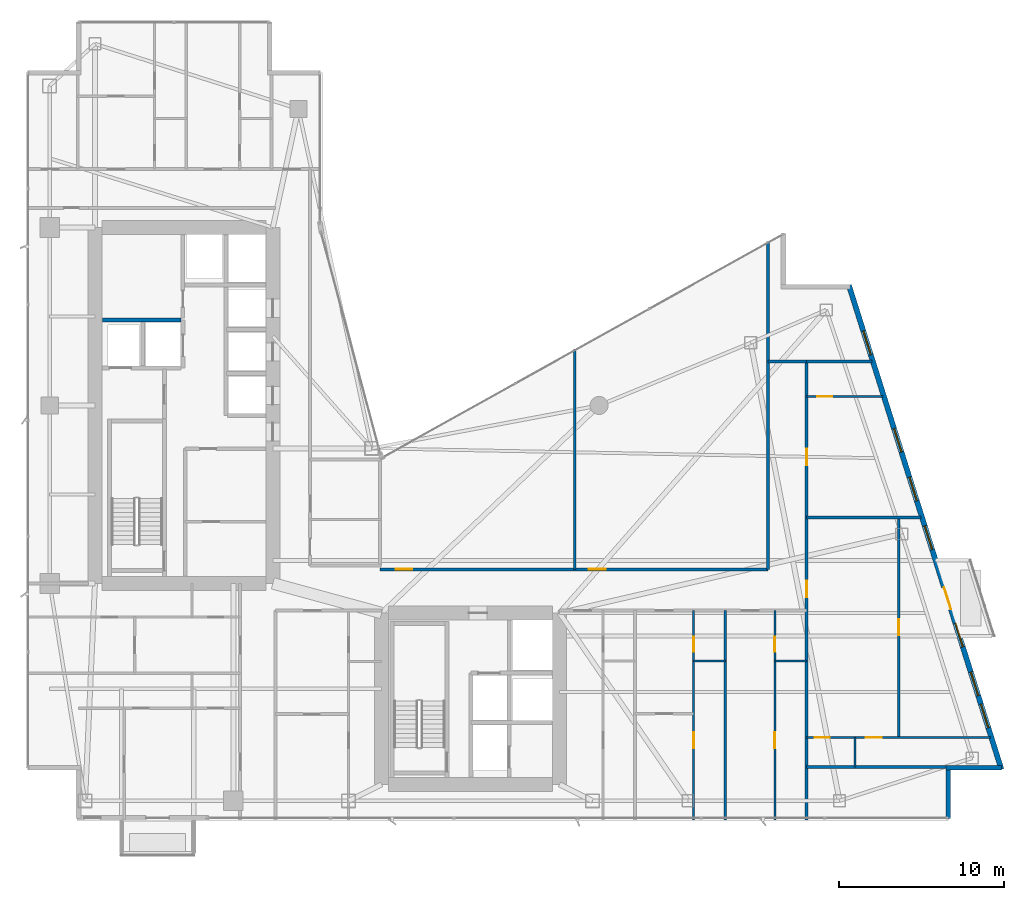
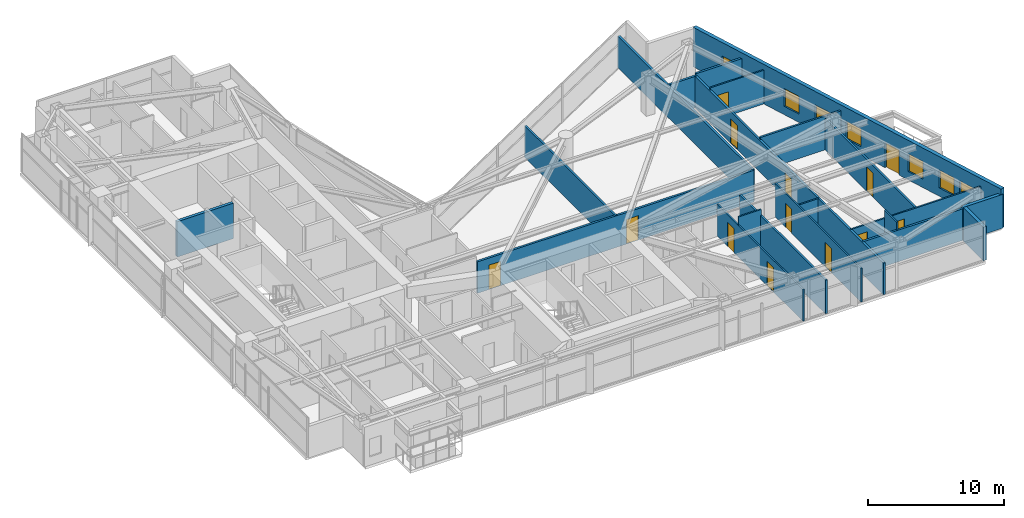
# One storey, part 24 of 29: 21 walls, 13 doors, 7 windows, 20 openings.
"""IFC4 building model written with IfcOpenShell, lengths in metres."""

from ifc_helpers import new_model, si_unit, direction, frame, frame_2d, origin, place, context, subcontext, project, spatial, rectangle, extrude, material, layer, layer_set, type_object, element, fill, save


model = new_model("IFC4")

# Units and contexts
model_context = context("Model", 3, precision=1e-05, world=origin(), true_north=direction((0.0, 1.0)))
body_context = subcontext(model_context, "Body", "Model", "MODEL_VIEW")
ifc_project = project(units=[si_unit("LENGTHUNIT", "METRE"), si_unit("AREAUNIT", "SQUARE_METRE"), si_unit("VOLUMEUNIT", "CUBIC_METRE"), si_unit("PLANEANGLEUNIT", "RADIAN"), si_unit("MASSUNIT", "GRAM", prefix="KILO")], contexts=[model_context])

# Site, building, storey
site_placement = place(None, origin())
site = spatial("IfcSite", under=ifc_project, at=site_placement, CompositionType="ELEMENT")
building_placement = place(site_placement, origin())
building = spatial("IfcBuilding", under=site, at=building_placement, Name="Calvorn Quay Hotel", CompositionType="ELEMENT")
storey_placement = place(building_placement, frame((0.0, 0.0, 105.0)))
storey = spatial("IfcBuildingStorey", under=building, at=storey_placement, Name="L25", CompositionType="ELEMENT", Elevation=105.0)

# Wall, openings, doors
ifc_material_1 = material(Name="Acoustic Fireboard Steel-Stud Partition", Category="steel")
ifc_layer_1 = layer(ifc_material_1, 0.179931640625)
ifc_layer_set_1 = layer_set([ifc_layer_1], Name="WL-CORR-FIRE-180")
wall_type_1 = type_object("IfcWallType", Name="WL-CORR-FIRE-180", PredefinedType="PARTITIONING", material=ifc_layer_set_1)
wall_1_placement = place(storey_placement, frame((21.5, 17.64990234375, 0.0), z_axis=(0.0, 0.0, 1.0), x_axis=(1.0, 0.0, 0.0)))
wall_1 = element("IfcWall", 1, at=wall_1_placement, inside=storey, type_object=wall_type_1, Name="Partition Wall L25-WL-CORR-NE-N", PredefinedType="PARTITIONING", context=body_context, shape_type="SweptSolid", body=[
    extrude(rectangle(XDim=23.550048828125, YDim=0.179931640625, at=frame_2d((11.77490234375, 0.0))), origin(), (0.0, 0.0, 1.0), 2.840087890625),
])
opening_1_placement = place(wall_1_placement, frame((0.949951171875, 0.0, 0.0)))
opening_1 = element("IfcOpeningElement", 2, at=opening_1_placement, cuts=wall_1, Name="Opening D-L25-NS1", PredefinedType="OPENING", context=body_context, shape_type="SweptSolid", body=[
    extrude(rectangle(XDim=1.02001953125, YDim=2.199951171875, at=frame_2d((0.510009765625, 1.10009765625))), frame((0.0, 0.099853515625, 0.0), z_axis=(0.0, -1.0, 0.0), x_axis=(1.0, 0.0, 0.0)), (0.0, 0.0, 1.0), 0.199951171875),
])
opening_2_placement = place(wall_1_placement, frame((12.679931640625, 0.0, 0.0)))
opening_2 = element("IfcOpeningElement", 3, at=opening_2_placement, cuts=wall_1, Name="Opening D-L25-NS2", PredefinedType="OPENING", context=body_context, shape_type="SweptSolid", body=[
    extrude(rectangle(XDim=1.02001953125, YDim=2.199951171875, at=frame_2d((0.510009765625, 1.10009765625))), frame((0.0, 0.099853515625, 0.0), z_axis=(0.0, -1.0, 0.0), x_axis=(1.0, 0.0, 0.0)), (0.0, 0.0, 1.0), 0.199951171875),
])
ifc_material_2 = material(Name="Solid-Core Walnut Veneer Hotel Fire Door")
door_type_1 = type_object("IfcDoorType", Name="DR-GUEST-ENTRY-1020", OperationType="NOTDEFINED", PredefinedType="DOOR", material=ifc_material_2)
door_1_placement = place(opening_1_placement, origin())
door_1 = element("IfcDoor", 4, at=door_1_placement, inside=storey, type_object=door_type_1, Name="Conservatory Salon Door 1 (L25)", OperationType="SINGLE_SWING_RIGHT", OverallHeight=2.199951171875, OverallWidth=1.02001953125, PredefinedType="DOOR", context=body_context, shape_type="SweptSolid", body=[
    extrude(rectangle(XDim=1.02001953125, YDim=2.199951171875, at=frame_2d((0.510009765625, 1.10009765625))), frame((0.0, 0.02490234375, 0.0), z_axis=(0.0, -1.0, 0.0), x_axis=(1.0, 0.0, 0.0)), (0.0, 0.0, 1.0), 0.050048828125),
])
fill(opening_1, door_1)
door_2_placement = place(opening_2_placement, origin())
door_2 = element("IfcDoor", 5, at=door_2_placement, inside=storey, type_object=door_type_1, Name="Conservatory Salon Door 2 (L25)", OperationType="SINGLE_SWING_LEFT", OverallHeight=2.199951171875, OverallWidth=1.02001953125, PredefinedType="DOOR", context=body_context, shape_type="SweptSolid", body=[
    extrude(rectangle(XDim=1.02001953125, YDim=2.199951171875, at=frame_2d((0.510009765625, 1.10009765625))), frame((0.0, 0.02490234375, 0.0), z_axis=(0.0, -1.0, 0.0), x_axis=(1.0, 0.0, 0.0)), (0.0, 0.0, 1.0), 0.050048828125),
])
fill(opening_2, door_2)

# Walls
wall_2_placement = place(storey_placement, frame((45.050048828125, 17.64990234375, 0.0), z_axis=(0.0, 0.0, 1.0), x_axis=(0.0, 1.0, 0.0)))
element("IfcWall", 6, at=wall_2_placement, inside=storey, type_object=wall_type_1, Name="Partition Wall L25-WL-NE-END-E", PredefinedType="PARTITIONING", context=body_context, shape_type="SweptSolid", body=[
    extrude(rectangle(XDim=19.900146484375, YDim=0.179931640625, at=frame_2d((9.9501953125, 0.0))), origin(), (0.0, 0.0, 1.0), 2.840087890625),
])
wall_3_placement = place(storey_placement, frame((47.39990234375, 5.659912109375, 0.0), z_axis=(0.0, 0.0, 1.0), x_axis=(1.0, 0.0, 0.0)))
element("IfcWall", 7, at=wall_3_placement, inside=storey, type_object=wall_type_1, Name="Partition Wall L25-WL-TIP-S", PredefinedType="PARTITIONING", context=body_context, shape_type="SweptSolid", body=[
    extrude(rectangle(XDim=8.60009765625, YDim=0.179931640625, at=frame_2d((4.300048828125, 0.0))), origin(), (0.0, 0.0, 1.0), 2.840087890625),
])
wall_4_placement = place(storey_placement, frame((47.39990234375, 30.280029296875, 0.0), z_axis=(0.0, 0.0, 1.0), x_axis=(1.0, 0.0, 0.0)))
element("IfcWall", 8, at=wall_4_placement, inside=storey, type_object=wall_type_1, Name="Partition Wall L25-WL-TIP-N", PredefinedType="PARTITIONING", context=body_context, shape_type="SweptSolid", body=[
    extrude(rectangle(XDim=3.960205078125, YDim=0.179931640625, at=frame_2d((1.97998046875, 0.0))), origin(), (0.0, 0.0, 1.0), 3.0400390625),
])

# Wall, openings, doors
wall_5_placement = place(storey_placement, frame((47.39990234375, 2.43994140625, 0.0), z_axis=(0.0, 0.0, 1.0), x_axis=(0.0, 1.0, 0.0)))
wall_5 = element("IfcWall", 9, at=wall_5_placement, inside=storey, type_object=wall_type_1, Name="Partition Wall L25-WL-CORR-TIP-E", PredefinedType="PARTITIONING", context=body_context, shape_type="SweptSolid", body=[
    extrude(rectangle(XDim=27.840087890625, YDim=0.179931640625, at=frame_2d((13.919921875, 0.0))), origin(), (0.0, 0.0, 1.0), 2.840087890625),
])
opening_3_placement = place(wall_5_placement, frame((13.510009765625, 0.0, 0.0)))
opening_3 = element("IfcOpeningElement", 10, at=opening_3_placement, cuts=wall_5, Name="Opening D-L25-U09", PredefinedType="OPENING", context=body_context, shape_type="SweptSolid", body=[
    extrude(rectangle(XDim=1.02001953125, YDim=2.199951171875, at=frame_2d((0.510009765625, 1.10009765625))), frame((0.0, 0.099853515625, 0.0), z_axis=(0.0, -1.0, 0.0), x_axis=(1.0, 0.0, 0.0)), (0.0, 0.0, 1.0), 0.199951171875),
])
opening_4_placement = place(wall_5_placement, frame((21.52001953125, 0.0, 0.0)))
opening_4 = element("IfcOpeningElement", 11, at=opening_4_placement, cuts=wall_5, Name="Opening D-L25-U10", PredefinedType="OPENING", context=body_context, shape_type="SweptSolid", body=[
    extrude(rectangle(XDim=1.02001953125, YDim=2.199951171875, at=frame_2d((0.510009765625, 1.10009765625))), frame((0.0, 0.099853515625, 0.0), z_axis=(0.0, -1.0, 0.0), x_axis=(1.0, 0.0, 0.0)), (0.0, 0.0, 1.0), 0.199951171875),
])
door_3_placement = place(opening_3_placement, origin())
door_3 = element("IfcDoor", 12, at=door_3_placement, inside=storey, type_object=door_type_1, Name="Terrace Suite Door U09 (L25)", OperationType="SINGLE_SWING_LEFT", OverallHeight=2.199951171875, OverallWidth=1.02001953125, PredefinedType="DOOR", context=body_context, shape_type="SweptSolid", body=[
    extrude(rectangle(XDim=1.02001953125, YDim=2.199951171875, at=frame_2d((0.510009765625, 1.10009765625))), frame((0.0, 0.02490234375, 0.0), z_axis=(0.0, -1.0, 0.0), x_axis=(1.0, 0.0, 0.0)), (0.0, 0.0, 1.0), 0.050048828125),
])
fill(opening_3, door_3)
door_4_placement = place(opening_4_placement, origin())
door_4 = element("IfcDoor", 13, at=door_4_placement, inside=storey, type_object=door_type_1, Name="Horizon Suite Door U10 (L25)", OperationType="SINGLE_SWING_RIGHT", OverallHeight=2.199951171875, OverallWidth=1.02001953125, PredefinedType="DOOR", context=body_context, shape_type="SweptSolid", body=[
    extrude(rectangle(XDim=1.02001953125, YDim=2.199951171875, at=frame_2d((0.510009765625, 1.10009765625))), frame((0.0, 0.02490234375, 0.0), z_axis=(0.0, -1.0, 0.0), x_axis=(1.0, 0.0, 0.0)), (0.0, 0.0, 1.0), 0.050048828125),
])
fill(opening_4, door_4)

# Walls
wall_6_placement = place(storey_placement, frame((45.050048828125, 30.280029296875, 0.0), z_axis=(0.0, 0.0, 1.0), x_axis=(1.0, 0.0, 0.0)))
element("IfcWall", 14, at=wall_6_placement, inside=storey, type_object=wall_type_1, Name="Partition Wall L25-WL-CORR-TIP-NN", PredefinedType="PARTITIONING", context=body_context, shape_type="SweptSolid", body=[
    extrude(rectangle(XDim=2.349853515625, YDim=0.179931640625, at=frame_2d((1.1748046875, 0.0))), origin(), (0.0, 0.0, 1.0), 2.840087890625),
])
ifc_material_3 = material(Name="Moisture-Resistant Tile-Backed Partition")
ifc_layer_2 = layer(ifc_material_3, 0.125)
ifc_layer_set_2 = layer_set([ifc_layer_2], Name="WL-ENSUITE-125")
wall_type_2 = type_object("IfcWallType", Name="WL-ENSUITE-125", PredefinedType="PARTITIONING", material=ifc_layer_set_2)
wall_7_placement = place(storey_placement, frame((40.5400390625, 12.10009765625, 0.0), z_axis=(0.0, 0.0, 1.0), x_axis=(1.0, 0.0, 0.0)))
element("IfcWall", 15, at=wall_7_placement, inside=storey, type_object=wall_type_2, Name="Partition Wall L25-WL-U07-BDV", PredefinedType="PARTITIONING", context=body_context, shape_type="SweptSolid", body=[
    extrude(rectangle(XDim=1.929931640625, YDim=0.125, at=frame_2d((0.96484375, 0.0))), origin(), (0.0, 0.0, 1.0), 3.56005859375),
])

# Wall, openings, doors
wall_8_placement = place(storey_placement, frame((40.5400390625, 2.43994140625, 0.0), z_axis=(0.0, 0.0, 1.0), x_axis=(0.0, 1.0, 0.0)))
wall_8 = element("IfcWall", 16, at=wall_8_placement, inside=storey, type_object=wall_type_2, Name="Partition Wall L25-WL-U07-BV", PredefinedType="PARTITIONING", context=body_context, shape_type="SweptSolid", body=[
    extrude(rectangle(XDim=12.7099609375, YDim=0.125, at=frame_2d((6.35498046875, 0.0))), origin(), (0.0, 0.0, 1.0), 2.840087890625),
])
opening_5_placement = place(wall_8_placement, frame((4.35009765625, 0.0, 0.0)))
opening_5 = element("IfcOpeningElement", 17, at=opening_5_placement, cuts=wall_8, Name="Opening D-L25-S07", PredefinedType="OPENING", context=body_context, shape_type="SweptSolid", body=[
    extrude(rectangle(XDim=0.9599609375, YDim=2.199951171875, at=frame_2d((0.47998046875, 1.10009765625))), frame((0.0, 0.072509765625, 0.0), z_axis=(0.0, -1.0, 0.0), x_axis=(1.0, 0.0, 0.0)), (0.0, 0.0, 1.0), 0.14501953125),
])
opening_6_placement = place(wall_8_placement, frame((10.2099609375, 0.0, 0.0)))
opening_6 = element("IfcOpeningElement", 18, at=opening_6_placement, cuts=wall_8, Name="Opening D-L25-E07", PredefinedType="OPENING", context=body_context, shape_type="SweptSolid", body=[
    extrude(rectangle(XDim=0.89990234375, YDim=2.14990234375, at=frame_2d((0.449951171875, 1.074951171875))), frame((0.0, 0.072509765625, 0.0), z_axis=(0.0, -1.0, 0.0), x_axis=(1.0, 0.0, 0.0)), (0.0, 0.0, 1.0), 0.14501953125),
])
ifc_material_4 = material(Name="Moisture-Sealed Timber En-Suite Door", Category="wood")
door_type_2 = type_object("IfcDoorType", Name="DR-ENSUITE-900", OperationType="NOTDEFINED", PredefinedType="DOOR", material=ifc_material_4)
door_5_placement = place(opening_6_placement, origin())
door_5 = element("IfcDoor", 19, at=door_5_placement, inside=storey, type_object=door_type_2, Name="En-Suite Door 07", OperationType="SINGLE_SWING_RIGHT", OverallHeight=2.14990234375, OverallWidth=0.89990234375, PredefinedType="DOOR", context=body_context, shape_type="SweptSolid", body=[
    extrude(rectangle(XDim=0.89990234375, YDim=2.14990234375, at=frame_2d((0.449951171875, 1.074951171875))), frame((0.0, 0.02490234375, 0.0), z_axis=(0.0, -1.0, 0.0), x_axis=(1.0, 0.0, 0.0)), (0.0, 0.0, 1.0), 0.050048828125),
])
fill(opening_6, door_5)
ifc_material_5 = material(Name="Solid Timber Internal Suite Door", Category="wood")
door_type_3 = type_object("IfcDoorType", Name="DR-SUITE-INT-960", OperationType="NOTDEFINED", PredefinedType="DOOR", material=ifc_material_5)
door_6_placement = place(opening_5_placement, origin())
door_6 = element("IfcDoor", 20, at=door_6_placement, inside=storey, type_object=door_type_3, Name="Harbour Dining Den Door 07", OperationType="SINGLE_SWING_LEFT", OverallHeight=2.199951171875, OverallWidth=0.9599609375, PredefinedType="DOOR", context=body_context, shape_type="SweptSolid", body=[
    extrude(rectangle(XDim=0.9599609375, YDim=2.199951171875, at=frame_2d((0.47998046875, 1.10009765625))), frame((0.0, 0.02490234375, 0.0), z_axis=(0.0, -1.0, 0.0), x_axis=(1.0, 0.0, 0.0)), (0.0, 0.0, 1.0), 0.050048828125),
])
fill(opening_5, door_6)

# Wall
wall_9_placement = place(storey_placement, frame((45.469970703125, 12.10009765625, 0.0), z_axis=(0.0, 0.0, 1.0), x_axis=(1.0, 0.0, 0.0)))
element("IfcWall", 21, at=wall_9_placement, inside=storey, type_object=wall_type_2, Name="Partition Wall L25-WL-U08-BDV", PredefinedType="PARTITIONING", context=body_context, shape_type="SweptSolid", body=[
    extrude(rectangle(XDim=1.929931640625, YDim=0.125, at=frame_2d((0.96484375, 0.0))), origin(), (0.0, 0.0, 1.0), 2.840087890625),
])

# Wall, openings, doors
wall_10_placement = place(storey_placement, frame((45.469970703125, 2.43994140625, 0.0), z_axis=(0.0, 0.0, 1.0), x_axis=(0.0, 1.0, 0.0)))
wall_10 = element("IfcWall", 22, at=wall_10_placement, inside=storey, type_object=wall_type_2, Name="Partition Wall L25-WL-U08-BV", PredefinedType="PARTITIONING", context=body_context, shape_type="SweptSolid", body=[
    extrude(rectangle(XDim=12.7099609375, YDim=0.125, at=frame_2d((6.35498046875, 0.0))), origin(), (0.0, 0.0, 1.0), 3.0400390625),
])
opening_7_placement = place(wall_10_placement, frame((4.35009765625, 0.0, 0.0)))
opening_7 = element("IfcOpeningElement", 23, at=opening_7_placement, cuts=wall_10, Name="Opening D-L25-S08", PredefinedType="OPENING", context=body_context, shape_type="SweptSolid", body=[
    extrude(rectangle(XDim=0.9599609375, YDim=2.199951171875, at=frame_2d((0.47998046875, 1.10009765625))), frame((0.0, 0.072509765625, 0.0), z_axis=(0.0, -1.0, 0.0), x_axis=(1.0, 0.0, 0.0)), (0.0, 0.0, 1.0), 0.14501953125),
])
opening_8_placement = place(wall_10_placement, frame((10.2099609375, 0.0, 0.0)))
opening_8 = element("IfcOpeningElement", 24, at=opening_8_placement, cuts=wall_10, Name="Opening D-L25-E08", PredefinedType="OPENING", context=body_context, shape_type="SweptSolid", body=[
    extrude(rectangle(XDim=0.89990234375, YDim=2.14990234375, at=frame_2d((0.449951171875, 1.074951171875))), frame((0.0, 0.072509765625, 0.0), z_axis=(0.0, -1.0, 0.0), x_axis=(1.0, 0.0, 0.0)), (0.0, 0.0, 1.0), 0.14501953125),
])
door_7_placement = place(opening_8_placement, origin())
door_7 = element("IfcDoor", 25, at=door_7_placement, inside=storey, type_object=door_type_2, Name="En-Suite Door 08", OperationType="SINGLE_SWING_RIGHT", OverallHeight=2.14990234375, OverallWidth=0.89990234375, PredefinedType="DOOR", context=body_context, shape_type="SweptSolid", body=[
    extrude(rectangle(XDim=0.89990234375, YDim=2.14990234375, at=frame_2d((0.449951171875, 1.074951171875))), frame((0.0, 0.02490234375, 0.0), z_axis=(0.0, -1.0, 0.0), x_axis=(1.0, 0.0, 0.0)), (0.0, 0.0, 1.0), 0.050048828125),
])
fill(opening_8, door_7)
door_8_placement = place(opening_7_placement, origin())
door_8 = element("IfcDoor", 26, at=door_8_placement, inside=storey, type_object=door_type_3, Name="Harbour Dining Den Door 08", OperationType="SINGLE_SWING_LEFT", OverallHeight=2.199951171875, OverallWidth=0.9599609375, PredefinedType="DOOR", context=body_context, shape_type="SweptSolid", body=[
    extrude(rectangle(XDim=0.9599609375, YDim=2.199951171875, at=frame_2d((0.47998046875, 1.10009765625))), frame((0.0, 0.02490234375, 0.0), z_axis=(0.0, -1.0, 0.0), x_axis=(1.0, 0.0, 0.0)), (0.0, 0.0, 1.0), 0.050048828125),
])
fill(opening_7, door_8)

# Wall
wall_11_placement = place(storey_placement, frame((50.35009765625, 5.659912109375, 0.0), z_axis=(0.0, 0.0, 1.0), x_axis=(0.0, 1.0, 0.0)))
element("IfcWall", 27, at=wall_11_placement, inside=storey, type_object=wall_type_2, Name="Partition Wall L25-WL-U09-BDV", PredefinedType="PARTITIONING", context=body_context, shape_type="SweptSolid", body=[
    extrude(rectangle(XDim=1.7900390625, YDim=0.125, at=frame_2d((0.89501953125, 0.0))), origin(), (0.0, 0.0, 1.0), 3.56005859375),
])

# Wall, openings, doors
wall_12_placement = place(storey_placement, frame((47.39990234375, 7.449951171875, 0.0), z_axis=(0.0, 0.0, 1.0), x_axis=(1.0, 0.0, 0.0)))
wall_12 = element("IfcWall", 28, at=wall_12_placement, inside=storey, type_object=wall_type_2, Name="Partition Wall L25-WL-U09-BH", PredefinedType="PARTITIONING", context=body_context, shape_type="SweptSolid", body=[
    extrude(rectangle(XDim=11.16015625, YDim=0.125, at=frame_2d((5.580078125, 0.0))), origin(), (0.0, 0.0, 1.0), 2.840087890625),
])
opening_9_placement = place(wall_12_placement, frame((0.5, 0.0, 0.0)))
opening_9 = element("IfcOpeningElement", 29, at=opening_9_placement, cuts=wall_12, Name="Opening D-L25-E09", PredefinedType="OPENING", context=body_context, shape_type="SweptSolid", body=[
    extrude(rectangle(XDim=0.89990234375, YDim=2.14990234375, at=frame_2d((0.449951171875, 1.074951171875))), frame((0.0, 0.072509765625, 0.0), z_axis=(0.0, -1.0, 0.0), x_axis=(1.0, 0.0, 0.0)), (0.0, 0.0, 1.0), 0.14501953125),
])
opening_10_placement = place(wall_12_placement, frame((3.60009765625, 0.0, 0.0)))
opening_10 = element("IfcOpeningElement", 30, at=opening_10_placement, cuts=wall_12, Name="Opening D-L25-S09", PredefinedType="OPENING", context=body_context, shape_type="SweptSolid", body=[
    extrude(rectangle(XDim=0.9599609375, YDim=2.199951171875, at=frame_2d((0.47998046875, 1.10009765625))), frame((0.0, 0.072509765625, 0.0), z_axis=(0.0, -1.0, 0.0), x_axis=(1.0, 0.0, 0.0)), (0.0, 0.0, 1.0), 0.14501953125),
])
door_9_placement = place(opening_9_placement, origin())
door_9 = element("IfcDoor", 31, at=door_9_placement, inside=storey, type_object=door_type_2, Name="En-Suite Door 09", OperationType="SINGLE_SWING_LEFT", OverallHeight=2.14990234375, OverallWidth=0.89990234375, PredefinedType="DOOR", context=body_context, shape_type="SweptSolid", body=[
    extrude(rectangle(XDim=0.89990234375, YDim=2.14990234375, at=frame_2d((0.449951171875, 1.074951171875))), frame((0.0, 0.02490234375, 0.0), z_axis=(0.0, -1.0, 0.0), x_axis=(1.0, 0.0, 0.0)), (0.0, 0.0, 1.0), 0.050048828125),
])
fill(opening_9, door_9)
door_10_placement = place(opening_10_placement, origin())
door_10 = element("IfcDoor", 32, at=door_10_placement, inside=storey, type_object=door_type_3, Name="Harbour Dining Den Door 09", OperationType="SINGLE_SWING_RIGHT", OverallHeight=2.199951171875, OverallWidth=0.9599609375, PredefinedType="DOOR", context=body_context, shape_type="SweptSolid", body=[
    extrude(rectangle(XDim=0.9599609375, YDim=2.199951171875, at=frame_2d((0.47998046875, 1.10009765625))), frame((0.0, 0.02490234375, 0.0), z_axis=(0.0, -1.0, 0.0), x_axis=(1.0, 0.0, 0.0)), (0.0, 0.0, 1.0), 0.050048828125),
])
fill(opening_10, door_10)

# Wall, opening, door
wall_13_placement = place(storey_placement, frame((47.39990234375, 28.14990234375, 0.0), z_axis=(0.0, 0.0, 1.0), x_axis=(1.0, 0.0, 0.0)))
wall_13 = element("IfcWall", 33, at=wall_13_placement, inside=storey, type_object=wall_type_2, Name="Partition Wall L25-WL-U10-BH", PredefinedType="PARTITIONING", context=body_context, shape_type="SweptSolid", body=[
    extrude(rectangle(XDim=4.630126953125, YDim=0.125, at=frame_2d((2.31494140625, 0.0))), origin(), (0.0, 0.0, 1.0), 3.0400390625),
])
opening_11_placement = place(wall_13_placement, frame((0.64990234375, 0.0, 0.0)))
opening_11 = element("IfcOpeningElement", 34, at=opening_11_placement, cuts=wall_13, Name="Opening D-L25-E10", PredefinedType="OPENING", context=body_context, shape_type="SweptSolid", body=[
    extrude(rectangle(XDim=0.89990234375, YDim=2.14990234375, at=frame_2d((0.449951171875, 1.074951171875))), frame((0.0, 0.072509765625, 0.0), z_axis=(0.0, -1.0, 0.0), x_axis=(1.0, 0.0, 0.0)), (0.0, 0.0, 1.0), 0.14501953125),
])
door_11_placement = place(opening_11_placement, origin())
door_11 = element("IfcDoor", 35, at=door_11_placement, inside=storey, type_object=door_type_2, Name="En-Suite Door 10", OperationType="SINGLE_SWING_LEFT", OverallHeight=2.14990234375, OverallWidth=0.89990234375, PredefinedType="DOOR", context=body_context, shape_type="SweptSolid", body=[
    extrude(rectangle(XDim=0.89990234375, YDim=2.14990234375, at=frame_2d((0.449951171875, 1.074951171875))), frame((0.0, 0.02490234375, 0.0), z_axis=(0.0, -1.0, 0.0), x_axis=(1.0, 0.0, 0.0)), (0.0, 0.0, 1.0), 0.050048828125),
])
fill(opening_11, door_11)

# Walls
ifc_material_6 = material(Name="Concrete C40", Category="concrete")
ifc_layer_3 = layer(ifc_material_6, 0.320068359375)
ifc_layer_set_3 = layer_set([ifc_layer_3], Name="WL-EXT-SPANDREL-320")
wall_type_3 = type_object("IfcWallType", Name="WL-EXT-SPANDREL-320", PredefinedType="SOLIDWALL", material=ifc_layer_set_3)
wall_14_placement = place(storey_placement, frame((56.0, 2.52001953125, 0.0), z_axis=(0.0, 0.0, 1.0), x_axis=(0.0, 1.0, 0.0)))
element("IfcWall", 36, at=wall_14_placement, inside=storey, type_object=wall_type_3, Name="Notched Corner Spandrel L25-SE1", PredefinedType="SOLIDWALL", context=body_context, shape_type="SweptSolid", body=[
    extrude(rectangle(XDim=2.93994140625, YDim=0.280029296875, at=frame_2d((1.469970703125, 0.0))), origin(), (0.0, 0.0, 1.0), 3.0400390625),
])
wall_15_placement = place(storey_placement, frame((55.860107421875, 5.60009765625, 0.0), z_axis=(0.0, 0.0, 1.0), x_axis=(1.0, 0.0, 0.0)))
element("IfcWall", 37, at=wall_15_placement, inside=storey, type_object=wall_type_3, Name="Notched Corner Spandrel L25-SE2", PredefinedType="SOLIDWALL", context=body_context, shape_type="SweptSolid", body=[
    extrude(rectangle(XDim=3.3798828125, YDim=0.280029296875, at=frame_2d((1.68994140625, 0.0))), origin(), (0.0, 0.0, 1.0), 3.0400390625),
])

# Wall, openings, door, windows
wall_16_placement = place(storey_placement, frame((59.22998046875, 5.5048828125, 0.0), z_axis=(0.0, 0.0, 1.0), x_axis=(-0.300509063924, 0.953778958931, 0.0)))
wall_16 = element("IfcWall", 38, at=wall_16_placement, inside=storey, type_object=wall_type_3, Name="East Stepped Waterfront Exterior Wall (L25)", PredefinedType="SOLIDWALL", context=body_context, shape_type="SweptSolid", body=[
    extrude(rectangle(XDim=30.814453125, YDim=0.320068359375, at=frame_2d((15.4072265625, 0.0))), origin(), (0.0, 0.0, 1.0), 3.56005859375),
])
opening_12_placement = place(wall_16_placement, frame((10.198974609375, 0.0, 0.0)))
opening_12 = element("IfcOpeningElement", 39, at=opening_12_placement, cuts=wall_16, Name="Opening DB-L25-1", PredefinedType="OPENING", context=body_context, shape_type="SweptSolid", body=[
    extrude(rectangle(XDim=1.39990234375, YDim=2.25, at=frame_2d((0.699951171875, 1.125))), frame((0.0, 0.169921875, 0.0), z_axis=(0.0, -1.0, 0.0), x_axis=(1.0, 0.0, 0.0)), (0.0, 0.0, 1.0), 0.340087890625),
])
opening_13_placement = place(wall_16_placement, frame((2.64990234375, 0.0, 0.75)))
opening_13 = element("IfcOpeningElement", 40, at=opening_13_placement, cuts=wall_16, Name="Opening WG-L25-E1", PredefinedType="OPENING", context=body_context, shape_type="SweptSolid", body=[
    extrude(rectangle(XDim=1.5, YDim=1.60009765625, at=frame_2d((0.75, 0.800048828125))), frame((0.0, 0.169921875, 0.0), z_axis=(0.0, -1.0, 0.0), x_axis=(1.0, 0.0, 0.0)), (0.0, 0.0, 1.0), 0.340087890625),
])
opening_14_placement = place(wall_16_placement, frame((4.699951171875, 0.0, 0.75)))
opening_14 = element("IfcOpeningElement", 41, at=opening_14_placement, cuts=wall_16, Name="Opening WG-L25-E2", PredefinedType="OPENING", context=body_context, shape_type="SweptSolid", body=[
    extrude(rectangle(XDim=1.5, YDim=1.60009765625, at=frame_2d((0.75, 0.800048828125))), frame((0.0, 0.169921875, 0.0), z_axis=(0.0, -1.0, 0.0), x_axis=(1.0, 0.0, 0.0)), (0.0, 0.0, 1.0), 0.340087890625),
])
opening_15_placement = place(wall_16_placement, frame((7.800048828125, 0.0, 0.75)))
opening_15 = element("IfcOpeningElement", 42, at=opening_15_placement, cuts=wall_16, Name="Opening WG-L25-E3", PredefinedType="OPENING", context=body_context, shape_type="SweptSolid", body=[
    extrude(rectangle(XDim=1.5, YDim=1.60009765625, at=frame_2d((0.75, 0.800048828125))), frame((0.0, 0.169921875, 0.0), z_axis=(0.0, -1.0, 0.0), x_axis=(1.0, 0.0, 0.0)), (0.0, 0.0, 1.0), 0.340087890625),
])
opening_16_placement = place(wall_16_placement, frame((14.0, 0.0, 0.75)))
opening_16 = element("IfcOpeningElement", 43, at=opening_16_placement, cuts=wall_16, Name="Opening WG-L25-E4", PredefinedType="OPENING", context=body_context, shape_type="SweptSolid", body=[
    extrude(rectangle(XDim=1.5, YDim=1.60009765625, at=frame_2d((0.75, 0.800048828125))), frame((0.0, 0.169921875, 0.0), z_axis=(0.0, -1.0, 0.0), x_axis=(1.0, 0.0, 0.0)), (0.0, 0.0, 1.0), 0.340087890625),
])
opening_17_placement = place(wall_16_placement, frame((17.10009765625, 0.0, 0.75)))
opening_17 = element("IfcOpeningElement", 44, at=opening_17_placement, cuts=wall_16, Name="Opening WG-L25-E5", PredefinedType="OPENING", context=body_context, shape_type="SweptSolid", body=[
    extrude(rectangle(XDim=1.5, YDim=1.60009765625, at=frame_2d((0.75, 0.800048828125))), frame((0.0, 0.169921875, 0.0), z_axis=(0.0, -1.0, 0.0), x_axis=(1.0, 0.0, 0.0)), (0.0, 0.0, 1.0), 0.340087890625),
])
opening_18_placement = place(wall_16_placement, frame((20.199951171875, 0.0, 0.75)))
opening_18 = element("IfcOpeningElement", 45, at=opening_18_placement, cuts=wall_16, Name="Opening WG-L25-E6", PredefinedType="OPENING", context=body_context, shape_type="SweptSolid", body=[
    extrude(rectangle(XDim=1.5, YDim=1.60009765625, at=frame_2d((0.75, 0.800048828125))), frame((0.0, 0.169921875, 0.0), z_axis=(0.0, -1.0, 0.0), x_axis=(1.0, 0.0, 0.0)), (0.0, 0.0, 1.0), 0.340087890625),
])
opening_19_placement = place(wall_16_placement, frame((26.39990234375, 0.0, 0.75)))
opening_19 = element("IfcOpeningElement", 46, at=opening_19_placement, cuts=wall_16, Name="Opening WG-L25-E7", PredefinedType="OPENING", context=body_context, shape_type="SweptSolid", body=[
    extrude(rectangle(XDim=1.5, YDim=1.60009765625, at=frame_2d((0.75, 0.800048828125))), frame((0.0, 0.169921875, 0.0), z_axis=(0.0, -1.0, 0.0), x_axis=(1.0, 0.0, 0.0)), (0.0, 0.0, 1.0), 0.340087890625),
])
ifc_material_7 = material(Name="Typhoon-Rated Low-E Aluminium Terrace Door", Category="aluminium")
door_type_4 = type_object("IfcDoorType", Name="DR-BALCONY-GLZ-1400", OperationType="NOTDEFINED", PredefinedType="DOOR", material=ifc_material_7)
door_12_placement = place(opening_12_placement, origin())
door_12 = element("IfcDoor", 47, at=door_12_placement, inside=storey, type_object=door_type_4, Name="Tree Balcony Terrace Door L25-BALC-E", OperationType="SINGLE_SWING_LEFT", OverallHeight=2.25, OverallWidth=1.39990234375, PredefinedType="DOOR", context=body_context, shape_type="SweptSolid", body=[
    extrude(rectangle(XDim=1.39990234375, YDim=2.25, at=frame_2d((0.699951171875, 1.125))), frame((0.0, 0.02490234375, 0.0), z_axis=(0.0, -1.0, 0.0), x_axis=(1.0, 0.0, 0.0)), (0.0, 0.0, 1.0), 0.050048828125),
])
fill(opening_12, door_12)
ifc_material_8 = material(Name="Self-Closing Class B Fire Window")
window_type = type_object("IfcWindowType", Name="WIN-REFUGE-1500x1600", PartitioningType="SINGLE_PANEL", PredefinedType="WINDOW", material=ifc_material_8)
window_1_placement = place(opening_13_placement, origin())
window_1 = element("IfcWindow", 48, at=window_1_placement, inside=storey, type_object=window_type, Name="East Facade Window L25-E1", OverallHeight=1.60009765625, OverallWidth=1.5, PartitioningType="SINGLE_PANEL", PredefinedType="WINDOW", context=body_context, shape_type="SweptSolid", body=[
    extrude(rectangle(XDim=1.5, YDim=1.60009765625, at=frame_2d((0.75, 0.800048828125))), frame((0.0, 0.030029296875, 0.0), z_axis=(0.0, -1.0, 0.0), x_axis=(1.0, 0.0, 0.0)), (0.0, 0.0, 1.0), 0.06005859375),
])
fill(opening_13, window_1)
window_2_placement = place(opening_14_placement, origin())
window_2 = element("IfcWindow", 49, at=window_2_placement, inside=storey, type_object=window_type, Name="East Facade Window L25-E2", OverallHeight=1.60009765625, OverallWidth=1.5, PartitioningType="SINGLE_PANEL", PredefinedType="WINDOW", context=body_context, shape_type="SweptSolid", body=[
    extrude(rectangle(XDim=1.5, YDim=1.60009765625, at=frame_2d((0.75, 0.800048828125))), frame((0.0, 0.030029296875, 0.0), z_axis=(0.0, -1.0, 0.0), x_axis=(1.0, 0.0, 0.0)), (0.0, 0.0, 1.0), 0.06005859375),
])
fill(opening_14, window_2)
window_3_placement = place(opening_15_placement, origin())
window_3 = element("IfcWindow", 50, at=window_3_placement, inside=storey, type_object=window_type, Name="East Facade Window L25-E3", OverallHeight=1.60009765625, OverallWidth=1.5, PartitioningType="SINGLE_PANEL", PredefinedType="WINDOW", context=body_context, shape_type="SweptSolid", body=[
    extrude(rectangle(XDim=1.5, YDim=1.60009765625, at=frame_2d((0.75, 0.800048828125))), frame((0.0, 0.030029296875, 0.0), z_axis=(0.0, -1.0, 0.0), x_axis=(1.0, 0.0, 0.0)), (0.0, 0.0, 1.0), 0.06005859375),
])
fill(opening_15, window_3)
window_4_placement = place(opening_16_placement, origin())
window_4 = element("IfcWindow", 51, at=window_4_placement, inside=storey, type_object=window_type, Name="East Facade Window L25-E4", OverallHeight=1.60009765625, OverallWidth=1.5, PartitioningType="SINGLE_PANEL", PredefinedType="WINDOW", context=body_context, shape_type="SweptSolid", body=[
    extrude(rectangle(XDim=1.5, YDim=1.60009765625, at=frame_2d((0.75, 0.800048828125))), frame((0.0, 0.030029296875, 0.0), z_axis=(0.0, -1.0, 0.0), x_axis=(1.0, 0.0, 0.0)), (0.0, 0.0, 1.0), 0.06005859375),
])
fill(opening_16, window_4)
window_5_placement = place(opening_17_placement, origin())
window_5 = element("IfcWindow", 52, at=window_5_placement, inside=storey, type_object=window_type, Name="East Facade Window L25-E5", OverallHeight=1.60009765625, OverallWidth=1.5, PartitioningType="SINGLE_PANEL", PredefinedType="WINDOW", context=body_context, shape_type="SweptSolid", body=[
    extrude(rectangle(XDim=1.5, YDim=1.60009765625, at=frame_2d((0.75, 0.800048828125))), frame((0.0, 0.030029296875, 0.0), z_axis=(0.0, -1.0, 0.0), x_axis=(1.0, 0.0, 0.0)), (0.0, 0.0, 1.0), 0.06005859375),
])
fill(opening_17, window_5)
window_6_placement = place(opening_18_placement, origin())
window_6 = element("IfcWindow", 53, at=window_6_placement, inside=storey, type_object=window_type, Name="East Facade Window L25-E6", OverallHeight=1.60009765625, OverallWidth=1.5, PartitioningType="SINGLE_PANEL", PredefinedType="WINDOW", context=body_context, shape_type="SweptSolid", body=[
    extrude(rectangle(XDim=1.5, YDim=1.60009765625, at=frame_2d((0.75, 0.800048828125))), frame((0.0, 0.030029296875, 0.0), z_axis=(0.0, -1.0, 0.0), x_axis=(1.0, 0.0, 0.0)), (0.0, 0.0, 1.0), 0.06005859375),
])
fill(opening_18, window_6)
window_7_placement = place(opening_19_placement, origin())
window_7 = element("IfcWindow", 54, at=window_7_placement, inside=storey, type_object=window_type, Name="East Facade Window L25-E7", OverallHeight=1.60009765625, OverallWidth=1.5, PartitioningType="SINGLE_PANEL", PredefinedType="WINDOW", context=body_context, shape_type="SweptSolid", body=[
    extrude(rectangle(XDim=1.5, YDim=1.60009765625, at=frame_2d((0.75, 0.800048828125))), frame((0.0, 0.030029296875, 0.0), z_axis=(0.0, -1.0, 0.0), x_axis=(1.0, 0.0, 0.0)), (0.0, 0.0, 1.0), 0.06005859375),
])
fill(opening_19, window_7)

# Walls
ifc_material_9 = material(Name="Double-Stud Acoustic Gypsum Partition")
ifc_layer_4 = layer(ifc_material_9, 0.159912109375)
ifc_layer_set_4 = layer_set([ifc_layer_4], Name="WL-INTERSUITE-160")
wall_type_4 = type_object("IfcWallType", Name="WL-INTERSUITE-160", PredefinedType="PARTITIONING", material=ifc_layer_set_4)
wall_17_placement = place(storey_placement, frame((42.469970703125, 2.43994140625, 0.0), z_axis=(0.0, 0.0, 1.0), x_axis=(0.0, 1.0, 0.0)))
element("IfcWall", 55, at=wall_17_placement, inside=storey, type_object=wall_type_4, Name="Partition Wall L25-WL-SE-DIV-2", PredefinedType="PARTITIONING", context=body_context, shape_type="SweptSolid", body=[
    extrude(rectangle(XDim=12.7099609375, YDim=0.159912109375, at=frame_2d((6.35498046875, 0.0))), origin(), (0.0, 0.0, 1.0), 3.0400390625),
])
wall_18_placement = place(storey_placement, frame((33.330078125, 17.64990234375, 0.0), z_axis=(0.0, 0.0, 1.0), x_axis=(0.0, 1.0, 0.0)))
element("IfcWall", 56, at=wall_18_placement, inside=storey, type_object=wall_type_4, Name="Partition Wall L25-WL-NE-DIV-1", PredefinedType="PARTITIONING", context=body_context, shape_type="SweptSolid", body=[
    extrude(rectangle(XDim=13.3701171875, YDim=0.159912109375, at=frame_2d((6.68505859375, 0.0))), origin(), (0.0, 0.0, 1.0), 2.840087890625),
])

# Wall, opening, door
wall_19_placement = place(storey_placement, frame((52.989990234375, 7.449951171875, 0.0), z_axis=(0.0, 0.0, 1.0), x_axis=(0.0, 1.0, 0.0)))
wall_19 = element("IfcWall", 57, at=wall_19_placement, inside=storey, type_object=wall_type_4, Name="Partition Wall L25-WL-U09-MSP", PredefinedType="PARTITIONING", context=body_context, shape_type="SweptSolid", body=[
    extrude(rectangle(XDim=13.35009765625, YDim=0.159912109375, at=frame_2d((6.675048828125, 0.0))), origin(), (0.0, 0.0, 1.0), 2.840087890625),
])
opening_20_placement = place(wall_19_placement, frame((6.199951171875, 0.0, 0.0)))
opening_20 = element("IfcOpeningElement", 58, at=opening_20_placement, cuts=wall_19, Name="Opening D-L25-M09", PredefinedType="OPENING", context=body_context, shape_type="SweptSolid", body=[
    extrude(rectangle(XDim=0.9599609375, YDim=2.199951171875, at=frame_2d((0.47998046875, 1.10009765625))), frame((0.0, 0.08984375, 0.0), z_axis=(0.0, -1.0, 0.0), x_axis=(1.0, 0.0, 0.0)), (0.0, 0.0, 1.0), 0.179931640625),
])
door_13_placement = place(opening_20_placement, origin())
door_13 = element("IfcDoor", 59, at=door_13_placement, inside=storey, type_object=door_type_3, Name="Suite Bedroom Door 09", OperationType="SINGLE_SWING_LEFT", OverallHeight=2.199951171875, OverallWidth=0.9599609375, PredefinedType="DOOR", context=body_context, shape_type="SweptSolid", body=[
    extrude(rectangle(XDim=0.9599609375, YDim=2.199951171875, at=frame_2d((0.47998046875, 1.10009765625))), frame((0.0, 0.02490234375, 0.0), z_axis=(0.0, -1.0, 0.0), x_axis=(1.0, 0.0, 0.0)), (0.0, 0.0, 1.0), 0.050048828125),
])
fill(opening_20, door_13)

# Walls
wall_20_placement = place(storey_placement, frame((47.39990234375, 20.800048828125, 0.0), z_axis=(0.0, 0.0, 1.0), x_axis=(1.0, 0.0, 0.0)))
element("IfcWall", 60, at=wall_20_placement, inside=storey, type_object=wall_type_4, Name="Partition Wall L25-WL-TIP-DIV", PredefinedType="PARTITIONING", context=body_context, shape_type="SweptSolid", body=[
    extrude(rectangle(XDim=6.9501953125, YDim=0.159912109375, at=frame_2d((3.47509765625, 0.0))), origin(), (0.0, 0.0, 1.0), 3.0400390625),
])
ifc_material_10 = material(Name="Concrete C40", Category="concrete")
ifc_layer_5 = layer(ifc_material_10, 0.239990234375)
ifc_layer_set_5 = layer_set([ifc_layer_5], Name="WL-SHAFT-240")
wall_type_5 = type_object("IfcWallType", Name="WL-SHAFT-240", PredefinedType="SOLIDWALL", material=ifc_layer_set_5)
wall_21_placement = place(storey_placement, frame((4.64501953125, 32.780029296875, 0.0), z_axis=(0.0, 0.0, 1.0), x_axis=(1.0, 0.0, 0.0)))
element("IfcWall", 61, at=wall_21_placement, inside=storey, type_object=wall_type_5, Name="Partition Wall L25-WL-CWW-SLW-N", PredefinedType="SOLIDWALL", context=body_context, shape_type="SweptSolid", body=[
    extrude(rectangle(XDim=4.77490234375, YDim=0.239990234375, at=frame_2d((2.387451171875, 0.0))), origin(), (0.0, 0.0, 1.0), 3.18994140625),
])

save(model, "model.ifc")
